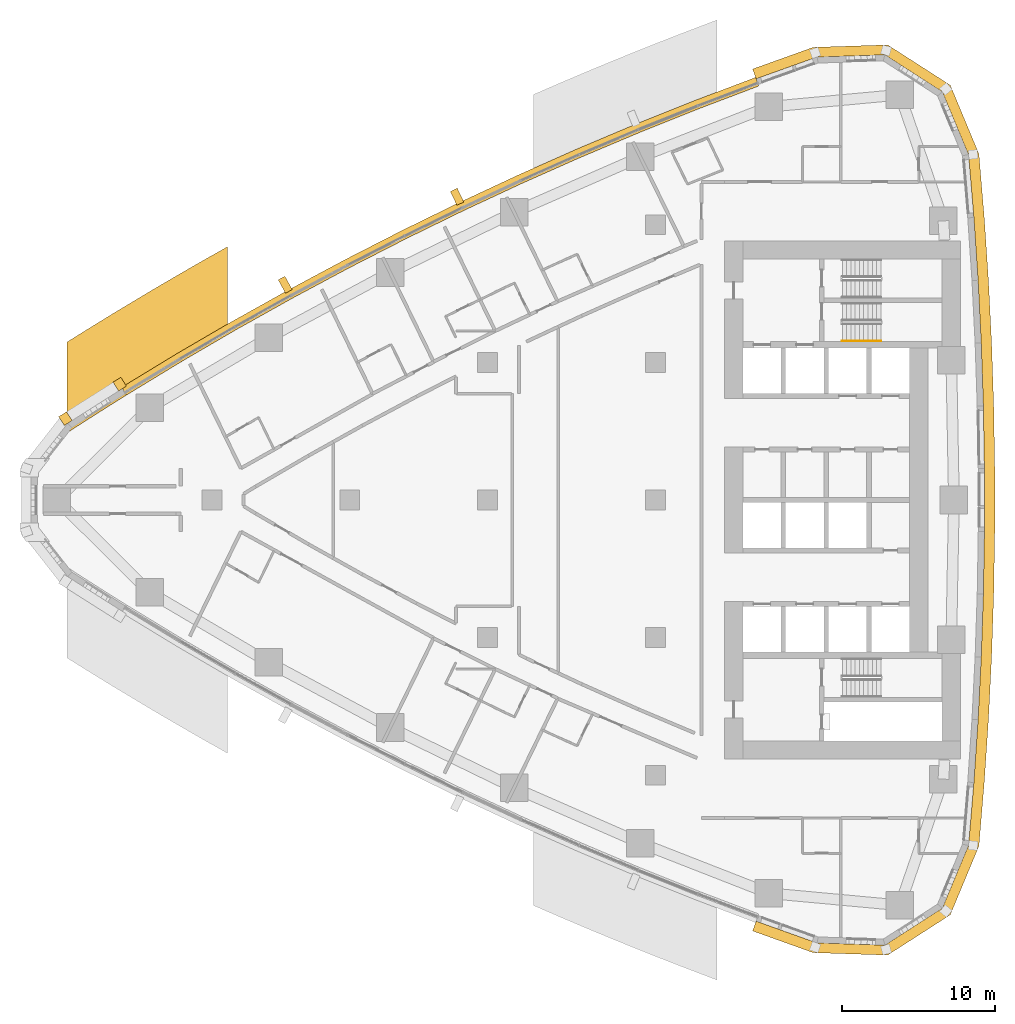
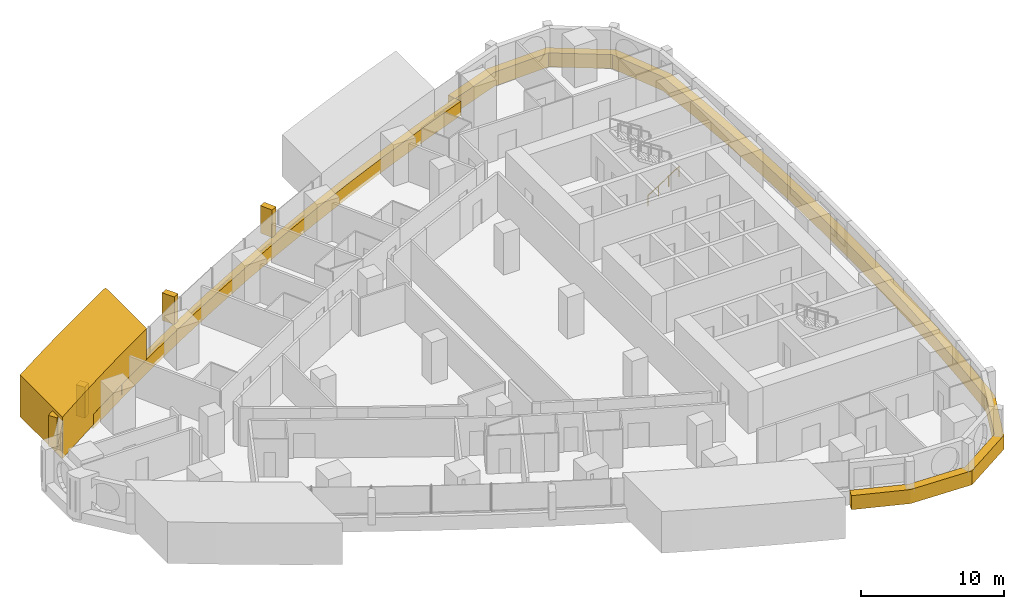
# One storey, part 17 of 19: 7 coverings, 1 railing.
"""IFC4 building model written with IfcOpenShell, lengths in metres."""

from ifc_helpers import new_model, si_unit, direction, frame, frame_2d, origin, origin_2d, place, context, subcontext, project, spatial, polyline, rectangle, circle, outline, extrude, material, layer, layer_set, type_object, element, save


model = new_model("IFC4")

# Units and contexts
model_context = context("Model", 3, precision=1e-05, world=origin(), true_north=direction((0.0, 1.0)))
body_context = subcontext(model_context, "Body", "Model", "MODEL_VIEW")
ifc_project = project(units=[si_unit("LENGTHUNIT", "METRE"), si_unit("AREAUNIT", "SQUARE_METRE"), si_unit("VOLUMEUNIT", "CUBIC_METRE"), si_unit("PLANEANGLEUNIT", "RADIAN"), si_unit("MASSUNIT", "GRAM", prefix="KILO")], contexts=[model_context])

# Site, building, storey
site_placement = place(None, origin())
site = spatial("IfcSite", under=ifc_project, at=site_placement, CompositionType="ELEMENT")
building_placement = place(site_placement, origin())
building = spatial("IfcBuilding", under=site, at=building_placement, Name="Ostrand Prow Hotel Tower", CompositionType="ELEMENT")
storey_placement = place(building_placement, frame((0.0, 0.0, 39.60009765625)))
storey = spatial("IfcBuildingStorey", under=building, at=storey_placement, Name="L07", CompositionType="ELEMENT", Elevation=39.60009765625)

# Coverings
ifc_material_1 = material(Name="Bronze anodised aluminium cladding", Category="aluminium")
ifc_layer_1 = layer(ifc_material_1, 0.60009765625)
ifc_layer_set_1 = layer_set([ifc_layer_1], Name="Bronze anodised aluminium cladding")
covering_type_1 = type_object("IfcCoveringType", Name="Bronze spandrel band 1200x600", PredefinedType="CLADDING", material=ifc_layer_set_1)
covering_1_placement = place(storey_placement, frame((0.0, 0.0, -0.300048828125)))
element("IfcCovering", 1, at=covering_1_placement, inside=storey, type_object=covering_type_1, Name="Spandrel band N1", PredefinedType="CLADDING", context=body_context, shape_type="SweptSolid", body=[
    extrude(outline(polyline([(51.5361328125, 27.6328125), (47.607666015625, 26.142578125), (43.70751953125, 24.580078125), (39.83642578125, 22.946044921875), (35.996337890625, 21.2412109375), (32.188232421875, 19.4658203125), (28.413330078125, 17.62060546875), (24.673095703125, 15.70654296875), (20.968994140625, 13.723876953125), (17.301513671875, 11.673095703125), (13.672607421875, 9.555419921875), (10.08349609375, 7.371337890625), (10.39990234375, 6.86181640625), (13.97998046875, 9.0400390625), (17.59912109375, 11.152099609375), (21.2568359375, 13.197509765625), (24.951416015625, 15.1748046875), (28.681884765625, 17.083984375), (32.44677734375, 18.92431640625), (36.244873046875, 20.695068359375), (40.074951171875, 22.3955078125), (43.935791015625, 24.025146484375), (47.82568359375, 25.58349609375), (51.743896484375, 27.070068359375), (51.5361328125, 27.6328125)])), origin(), (0.0, 0.0, 1.0), 1.199951171875),
])
covering_2_placement = place(storey_placement, frame((0.0, 0.0, -0.300048828125)))
element("IfcCovering", 2, at=covering_2_placement, inside=storey, type_object=covering_type_1, Name="Spandrel band back 1", PredefinedType="CLADDING", context=body_context, shape_type="SweptSolid", body=[
    extrude(outline(polyline([(51.335205078125, -28.177001953125), (55.300537109375, -29.5986328125), (60.16796875, -29.758056640625), (64.26318359375, -27.123046875), (66.13525390625, -22.627197265625), (66.48046875, -18.521728515625), (66.756591796875, -14.411376953125), (66.964111328125, -10.296630859375), (67.102294921875, -6.17919921875), (67.17138671875, -2.059814453125), (67.17138671875, 2.059814453125), (67.102294921875, 6.17919921875), (66.964111328125, 10.296630859375), (66.756591796875, 14.411376953125), (66.48046875, 18.521728515625), (66.13525390625, 22.627197265625), (64.26318359375, 27.123046875), (60.16796875, 29.758056640625), (55.300537109375, 29.5986328125), (51.335205078125, 28.177001953125), (51.57080078125, 27.5390625), (55.524169921875, 28.956298828125), (59.98681640625, 29.1025390625), (63.74169921875, 26.6865234375), (65.4580078125, 22.564453125), (65.802490234375, 18.470458984375), (66.077880859375, 14.371337890625), (66.28466796875, 10.26806640625), (66.422607421875, 6.162109375), (66.491455078125, 2.05419921875), (66.491455078125, -2.05419921875), (66.422607421875, -6.162109375), (66.28466796875, -10.26806640625), (66.077880859375, -14.371337890625), (65.802490234375, -18.470458984375), (65.4580078125, -22.564453125), (63.74169921875, -26.6865234375), (59.98681640625, -29.1025390625), (55.524169921875, -28.956298828125), (51.57080078125, -27.5390625), (51.335205078125, -28.177001953125)])), origin(), (0.0, 0.0, 1.0), 1.199951171875),
])
ifc_material_2 = material(Name="Limestone cladding", Category="masonry")
ifc_layer_2 = layer(ifc_material_2, 5.0)
ifc_layer_set_2 = layer_set([ifc_layer_2], Name="Limestone cladding")
covering_type_2 = type_object("IfcCoveringType", Name="Portal jamb pilaster limestone", PredefinedType="CLADDING", material=ifc_layer_set_2)
covering_3_placement = place(storey_placement, origin())
element("IfcCovering", 3, at=covering_3_placement, inside=storey, type_object=covering_type_2, Name="Portal jamb NA L07", PredefinedType="CLADDING", context=body_context, shape_type="SweptSolid", body=[
    extrude(outline(polyline([(6.5, 4.3837890625), (7.45458984375, 5.00048828125), (8.4091796875, 5.610595703125), (9.363525390625, 6.214111328125), (10.318115234375, 6.810791015625), (11.272705078125, 7.401123046875), (12.227294921875, 7.98486328125), (13.181884765625, 8.562255859375), (14.136474609375, 9.13330078125), (15.0908203125, 9.697998046875), (16.04541015625, 10.25634765625), (17.0, 10.80859375), (17.0, 16.556640625), (16.04541015625, 16.020263671875), (15.0908203125, 15.4775390625), (14.136474609375, 14.92919921875), (13.181884765625, 14.37451171875), (12.227294921875, 13.81396484375), (11.272705078125, 13.247314453125), (10.318115234375, 12.67431640625), (9.363525390625, 12.09521484375), (8.4091796875, 11.509521484375), (7.45458984375, 10.917724609375), (6.5, 10.319580078125), (6.5, 4.3837890625)])), origin(), (0.0, 0.0, 1.0), 3.5498046875),
])
ifc_material_3 = material(Name="Limestone cladding", Category="masonry")
ifc_layer_3 = layer(ifc_material_3, 0.5)
ifc_layer_set_3 = layer_set([ifc_layer_3], Name="Limestone cladding")
covering_type_3 = type_object("IfcCoveringType", Name="Precast stone fin 500x900", PredefinedType="CLADDING", material=ifc_layer_set_3)
for number, where, z_axis, x_axis, name in (
    (4, (32.231201171875, 19.37548828125, 0.89990234375), (0.0, 0.0, 1.0), (-0.430634686673, 0.902526324621, 0.0), "Stone fin N 6"),
    (5, (21.016845703125, 13.635986328125, 0.89990234375), (0.0, 0.0, 1.0), (-0.480014960696, 0.877260302025, 0.0), "Stone fin N 9"),
):
    element("IfcCovering", number, at=place(storey_placement, frame(where, z_axis=z_axis, x_axis=x_axis)), inside=storey, type_object=covering_type_3, Name=name, PredefinedType="CLADDING", context=body_context, shape_type="SweptSolid", body=[
        extrude(rectangle(XDim=1.0, YDim=0.5, at=frame_2d((0.5, 0.0))), origin(), (0.0, 0.0, 1.0), 2.35009765625),
    ])
ifc_material_4 = material(Name="Limestone cladding", Category="masonry")
ifc_layer_4 = layer(ifc_material_4, 0.60009765625)
ifc_layer_set_4 = layer_set([ifc_layer_4], Name="Limestone cladding")
covering_type_4 = type_object("IfcCoveringType", Name="Precast stone prow rib 600x600", PredefinedType="CLADDING", material=ifc_layer_set_4)
for number, where, z_axis, x_axis, name in (
    (6, (10.13623046875, 7.286376953125, 0.599853515625), (0.0, 0.0, 1.0), (-0.527738148304, 0.849407114889, 0.0), "Stone prow rib 1"),
    (7, (6.589111328125, 5.03759765625, 0.599853515625), (0.0, 0.0, 1.0), (-0.543295944087, 0.839541253983, 0.0), "Stone prow rib 2"),
):
    element("IfcCovering", number, at=place(storey_placement, frame(where, z_axis=z_axis, x_axis=x_axis)), inside=storey, type_object=covering_type_4, Name=name, PredefinedType="CLADDING", context=body_context, shape_type="SweptSolid", body=[
        extrude(rectangle(XDim=0.679931640625, YDim=0.60009765625, at=frame_2d((0.33984375, 0.0))), origin(), (0.0, 0.0, 1.0), 2.650146484375),
    ])

# Railing
ifc_material_5 = material(Name="Stainless steel", Category="steel")
railing_type = type_object("IfcRailingType", Name="Stair handrail 900", PredefinedType="HANDRAIL", material=ifc_material_5)
railing_placement = place(storey_placement, frame((57.199951171875, 10.39990234375, 0.177490234375)))
element("IfcRailing", 8, at=railing_placement, inside=storey, type_object=railing_type, Name="L07 ST1C stair handrail 1", PredefinedType="HANDRAIL", context=body_context, shape_type="SweptSolid", body=[
    extrude(circle(Radius=0.02392578125, at=origin_2d()), frame((0.0, 0.0, 0.8759765625), z_axis=(0.84460694969, 0.0, 0.535386869969), x_axis=(0.0, 1.0, 0.0)), (0.0, 0.0, 1.0), 2.983642578125),
    extrude(circle(Radius=0.02099609375, at=origin_2d()), origin(), (0.0, 0.0, 1.0), 0.851806640625),
    extrude(circle(Radius=0.02099609375, at=origin_2d()), frame((0.840087890625, 0.0, 0.532470703125)), (0.0, 0.0, 1.0), 0.851806640625),
    extrude(circle(Radius=0.02099609375, at=origin_2d()), frame((1.679931640625, 0.0, 1.06494140625)), (0.0, 0.0, 1.0), 0.851806640625),
    extrude(circle(Radius=0.02099609375, at=origin_2d()), frame((2.52001953125, 0.0, 1.597412109375)), (0.0, 0.0, 1.0), 0.851806640625),
])

save(model, "model.ifc")
